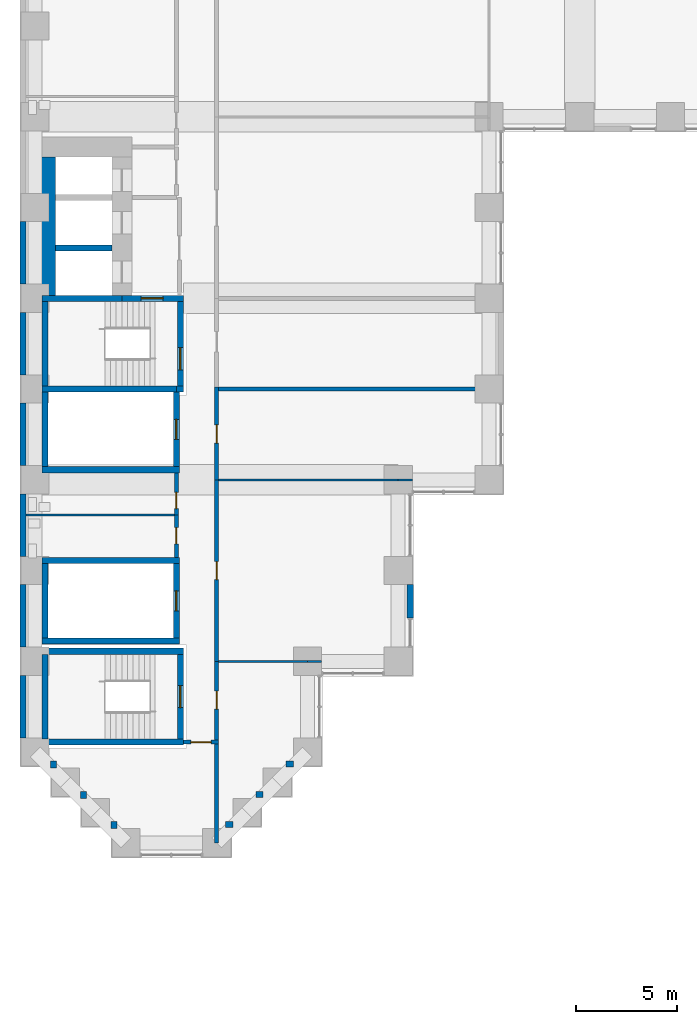
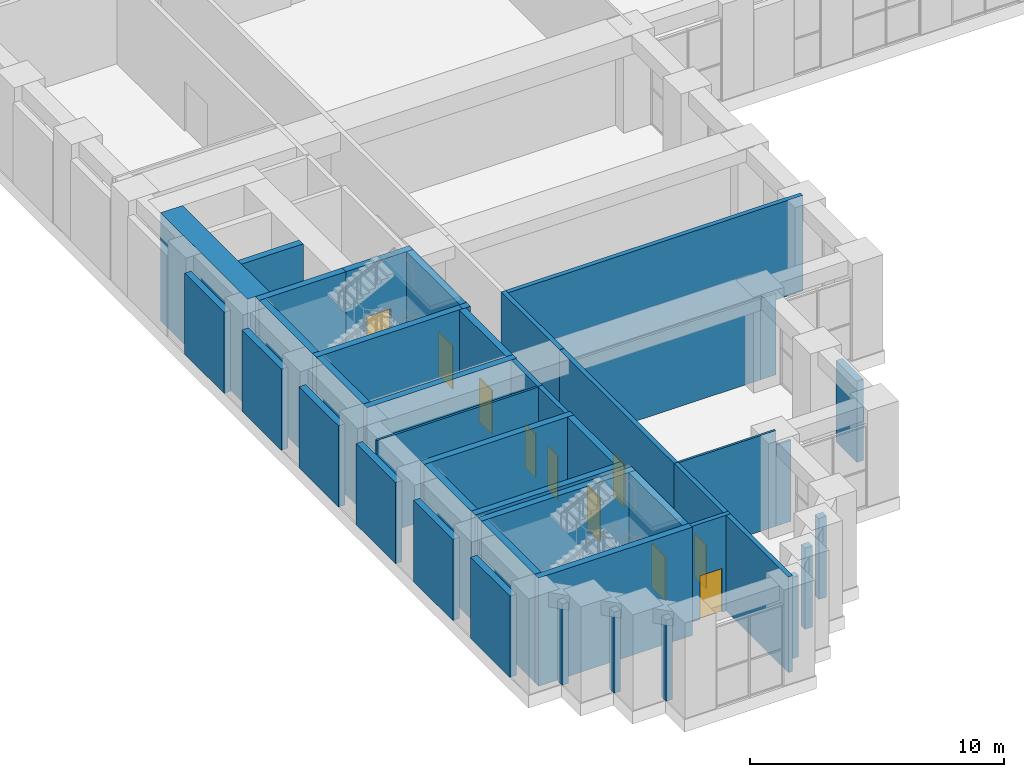
# One storey, part 15 of 30: 45 walls, 11 doors, 11 openings.
"""IFC4 building model written with IfcOpenShell, lengths in metres."""

from ifc_helpers import new_model, si_unit, direction, frame, frame_2d, origin, place, context, subcontext, project, spatial, rectangle, extrude, material, layer, layer_set, type_object, element, fill, save


model = new_model("IFC4")

# Units and contexts
model_context = context("Model", 3, precision=1e-05, world=origin(), true_north=direction((0.0, 1.0)))
body_context = subcontext(model_context, "Body", "Model", "MODEL_VIEW")
ifc_project = project(units=[si_unit("LENGTHUNIT", "METRE"), si_unit("AREAUNIT", "SQUARE_METRE"), si_unit("VOLUMEUNIT", "CUBIC_METRE"), si_unit("PLANEANGLEUNIT", "RADIAN"), si_unit("MASSUNIT", "GRAM", prefix="KILO")], contexts=[model_context])

# Site, building, storey
site_placement = place(None, origin())
site = spatial("IfcSite", under=ifc_project, at=site_placement, CompositionType="ELEMENT")
building_placement = place(site_placement, origin())
building = spatial("IfcBuilding", under=site, at=building_placement, Name="Firuza Court", CompositionType="ELEMENT")
storey_placement = place(building_placement, frame((0.0, 0.0, 9.0)))
storey = spatial("IfcBuildingStorey", under=building, at=storey_placement, Name="L01", CompositionType="ELEMENT", Elevation=9.0)

# Walls
ifc_material_1 = material(Name="Moisture-resistant gypsum board partition")
ifc_layer_1 = layer(ifc_material_1, 0.10009765625)
ifc_layer_set_1 = layer_set([ifc_layer_1], Name="Moisture-resistant gypsum board partition")
wall_type_1 = type_object("IfcWallType", Name="Bathroom partition 100", PredefinedType="PLUMBINGWALL", material=ifc_layer_set_1)
wall_1_placement = place(storey_placement, frame((-0.449951171875, 16.25, 0.0), z_axis=(0.0, 0.0, 1.0), x_axis=(1.0, 0.0, 0.0)))
element("IfcWall", 1, at=wall_1_placement, inside=storey, type_object=wall_type_1, Name="Bathroom partition 100 L01", PredefinedType="PLUMBINGWALL", context=body_context, shape_type="SweptSolid", body=[
    extrude(rectangle(XDim=7.349853515625, YDim=0.10009765625, at=frame_2d((3.6748046875, 0.0))), origin(), (0.0, 0.0, 1.0), 4.60009765625),
])
ifc_material_2 = material(Name="Concrete C60/75", Category="concrete")
ifc_layer_2 = layer(ifc_material_2, 1.0)
ifc_layer_set_2 = layer_set([ifc_layer_2], Name="Concrete C60/75")
wall_type_2 = type_object("IfcWallType", Name="Core wall 1000 C60/75", PredefinedType="SHEAR", material=ifc_layer_set_2)
wall_2_placement = place(storey_placement, frame((0.5, 27.14990234375, -0.60009765625), z_axis=(0.0, 0.0, 1.0), x_axis=(0.0, 1.0, 0.0)))
element("IfcWall", 2, at=wall_2_placement, inside=storey, type_object=wall_type_2, Name="Core wall lift shaft L01", PredefinedType="SHEAR", context=body_context, shape_type="SweptSolid", body=[
    extrude(rectangle(XDim=6.85009765625, YDim=1.0, at=frame_2d((3.425048828125, 0.0))), origin(), (0.0, 0.0, 1.0), 5.2001953125),
])
ifc_layer_3 = layer(ifc_material_2, 0.300048828125)
ifc_layer_set_3 = layer_set([ifc_layer_3], Name="Concrete C60/75")
wall_type_3 = type_object("IfcWallType", Name="Core wall 300 C60/75", PredefinedType="SHEAR", material=ifc_layer_set_3)
for number, where, z_axis, x_axis, name in (
    (3, (0.35009765625, 5.0, -0.60009765625), (0.0, 0.0, 1.0), (1.0, 0.0, 0.0), "Core wall stair L01"),
    (4, (0.35009765625, 9.5, -0.60009765625), (0.0, 0.0, 1.0), (1.0, 0.0, 0.0), "Core wall stair L01"),
):
    element("IfcWall", number, at=place(storey_placement, frame(where, z_axis=z_axis, x_axis=x_axis)), inside=storey, type_object=wall_type_3, Name=name, PredefinedType="SHEAR", context=body_context, shape_type="SweptSolid", body=[
        extrude(rectangle(XDim=7.0, YDim=0.300048828125, at=frame_2d((3.5, 0.0))), origin(), (0.0, 0.0, 1.0), 5.2001953125),
    ])
for number, where, z_axis, x_axis, name in (
    (5, (0.35009765625, 10.0, -0.60009765625), (0.0, 0.0, 1.0), (1.0, 0.0, 0.0), "Core wall riser L01"),
    (6, (0.35009765625, 14.0, -0.60009765625), (0.0, 0.0, 1.0), (1.0, 0.0, 0.0), "Core wall riser L01"),
    (7, (0.35009765625, 18.5, -0.60009765625), (0.0, 0.0, 1.0), (1.0, 0.0, 0.0), "Core wall riser L01"),
):
    element("IfcWall", number, at=place(storey_placement, frame(where, z_axis=z_axis, x_axis=x_axis)), inside=storey, type_object=wall_type_3, Name=name, PredefinedType="SHEAR", context=body_context, shape_type="SweptSolid", body=[
        extrude(rectangle(XDim=6.7998046875, YDim=0.300048828125, at=frame_2d((3.39990234375, 0.0))), origin(), (0.0, 0.0, 1.0), 5.2001953125),
    ])
wall_3_placement = place(storey_placement, frame((0.35009765625, 22.5, -0.60009765625), z_axis=(0.0, 0.0, 1.0), x_axis=(1.0, 0.0, 0.0)))
element("IfcWall", 8, at=wall_3_placement, inside=storey, type_object=wall_type_3, Name="Core wall riser L01", PredefinedType="SHEAR", context=body_context, shape_type="SweptSolid", body=[
    extrude(rectangle(XDim=6.64990234375, YDim=0.300048828125, at=frame_2d((3.324951171875, 0.0))), origin(), (0.0, 0.0, 1.0), 5.2001953125),
])
wall_4_placement = place(storey_placement, frame((0.35009765625, 27.0, -0.60009765625), z_axis=(0.0, 0.0, 1.0), x_axis=(1.0, 0.0, 0.0)))
element("IfcWall", 9, at=wall_4_placement, inside=storey, type_object=wall_type_3, Name="Core wall lift shaft L01", PredefinedType="SHEAR", context=body_context, shape_type="SweptSolid", body=[
    extrude(rectangle(XDim=3.949951171875, YDim=0.300048828125, at=frame_2d((1.97509765625, 0.0))), origin(), (0.0, 0.0, 1.0), 5.2001953125),
])
wall_5_placement = place(storey_placement, frame((0.5, 5.14990234375, -0.60009765625), z_axis=(0.0, 0.0, 1.0), x_axis=(0.0, 1.0, 0.0)))
element("IfcWall", 10, at=wall_5_placement, inside=storey, type_object=wall_type_3, Name="Core wall stair L01", PredefinedType="SHEAR", context=body_context, shape_type="SweptSolid", body=[
    extrude(rectangle(XDim=4.2001953125, YDim=0.300048828125, at=frame_2d((2.10009765625, 0.0))), origin(), (0.0, 0.0, 1.0), 5.2001953125),
])
for number, where, z_axis, x_axis, name in (
    (11, (0.5, 10.14990234375, -0.60009765625), (0.0, 0.0, 1.0), (0.0, 1.0, 0.0), "Core wall riser L01"),
    (12, (0.5, 18.64990234375, -0.60009765625), (0.0, 0.0, 1.0), (0.0, 1.0, 0.0), "Core wall riser L01"),
):
    element("IfcWall", number, at=place(storey_placement, frame(where, z_axis=z_axis, x_axis=x_axis)), inside=storey, type_object=wall_type_3, Name=name, PredefinedType="SHEAR", context=body_context, shape_type="SweptSolid", body=[
        extrude(rectangle(XDim=3.7001953125, YDim=0.300048828125, at=frame_2d((1.85009765625, 0.0))), origin(), (0.0, 0.0, 1.0), 5.2001953125),
    ])
wall_6_placement = place(storey_placement, frame((0.5, 22.64990234375, -0.60009765625), z_axis=(0.0, 0.0, 1.0), x_axis=(0.0, 1.0, 0.0)))
element("IfcWall", 13, at=wall_6_placement, inside=storey, type_object=wall_type_3, Name="Core wall stair L01", PredefinedType="SHEAR", context=body_context, shape_type="SweptSolid", body=[
    extrude(rectangle(XDim=4.2001953125, YDim=0.300048828125, at=frame_2d((2.10009765625, 0.0))), origin(), (0.0, 0.0, 1.0), 5.2001953125),
])
wall_7_placement = place(storey_placement, frame((1.0, 29.5, -0.60009765625), z_axis=(0.0, 0.0, 1.0), x_axis=(1.0, 0.0, 0.0)))
element("IfcWall", 14, at=wall_7_placement, inside=storey, type_object=wall_type_3, Name="Core wall lift shaft L01", PredefinedType="SHEAR", context=body_context, shape_type="SweptSolid", body=[
    extrude(rectangle(XDim=2.800048828125, YDim=0.300048828125, at=frame_2d((1.39990234375, 0.0))), origin(), (0.0, 0.0, 1.0), 5.2001953125),
])

# Wall, opening, door
wall_8_placement = place(storey_placement, frame((4.300048828125, 27.0, -0.60009765625), z_axis=(0.0, 0.0, 1.0), x_axis=(1.0, 0.0, 0.0)))
wall_8 = element("IfcWall", 15, at=wall_8_placement, inside=storey, type_object=wall_type_3, Name="Core wall stair L01", PredefinedType="SHEAR", context=body_context, shape_type="SweptSolid", body=[
    extrude(rectangle(XDim=3.050048828125, YDim=0.300048828125, at=frame_2d((1.52490234375, 0.0))), origin(), (0.0, 0.0, 1.0), 5.2001953125),
])
opening_1_placement = place(wall_8_placement, frame((0.949951171875, 0.0, 0.60009765625)))
opening_1 = element("IfcOpeningElement", 16, at=opening_1_placement, cuts=wall_8, Name="Opening D01014", PredefinedType="OPENING", context=body_context, shape_type="SweptSolid", body=[
    extrude(rectangle(XDim=1.10009765625, YDim=2.10009765625, at=frame_2d((0.550048828125, 1.050048828125))), frame((0.0, 0.162109375, 0.0), z_axis=(0.0, -1.0, 0.0), x_axis=(1.0, 0.0, 0.0)), (0.0, 0.0, 1.0), 0.323974609375),
])
ifc_material_3 = material(Name="Timber door leaf in hardwood frame", Category="wood")
door_type_1 = type_object("IfcDoorType", Name="Stair door 1100", OperationType="SINGLE_SWING_LEFT", PredefinedType="DOOR", material=ifc_material_3)
door_1_placement = place(opening_1_placement, frame((1.10009765625, 0.0, 0.0), z_axis=(0.0, 0.0, 1.0), x_axis=(-1.0, 0.0, 0.0)))
door_1 = element("IfcDoor", 17, at=door_1_placement, inside=storey, type_object=door_type_1, Name="Fire-fighting lobby door", OperationType="SINGLE_SWING_LEFT", OverallHeight=2.10009765625, OverallWidth=1.10009765625, PredefinedType="DOOR", context=body_context, shape_type="SweptSolid", body=[
    extrude(rectangle(XDim=1.10009765625, YDim=2.10009765625, at=frame_2d((0.550048828125, 1.050048828125))), frame((0.0, 0.02490234375, 0.0), z_axis=(0.0, -1.0, 0.0), x_axis=(1.0, 0.0, 0.0)), (0.0, 0.0, 1.0), 0.050048828125),
])
fill(opening_1, door_1)

wall_9_placement = place(storey_placement, frame((7.0, 10.14990234375, -0.60009765625), z_axis=(0.0, 0.0, 1.0), x_axis=(0.0, 1.0, 0.0)))
wall_9 = element("IfcWall", 18, at=wall_9_placement, inside=storey, type_object=wall_type_3, Name="Core wall riser L01", PredefinedType="SHEAR", context=body_context, shape_type="SweptSolid", body=[
    extrude(rectangle(XDim=3.7001953125, YDim=0.300048828125, at=frame_2d((1.85009765625, 0.0))), origin(), (0.0, 0.0, 1.0), 5.2001953125),
])
opening_2_placement = place(wall_9_placement, frame((1.35009765625, 0.0, 0.60009765625)))
opening_2 = element("IfcOpeningElement", 19, at=opening_2_placement, cuts=wall_9, Name="Opening D01012", PredefinedType="OPENING", context=body_context, shape_type="SweptSolid", body=[
    extrude(rectangle(XDim=1.0, YDim=2.10009765625, at=frame_2d((0.5, 1.050048828125))), frame((0.0, 0.162109375, 0.0), z_axis=(0.0, -1.0, 0.0), x_axis=(1.0, 0.0, 0.0)), (0.0, 0.0, 1.0), 0.323974609375),
])
ifc_material_4 = material(Name="Timber door leaf in hardwood frame", Category="wood")
door_type_2 = type_object("IfcDoorType", Name="Riser door 1000", OperationType="SINGLE_SWING_LEFT", PredefinedType="DOOR", material=ifc_material_4)
door_2_placement = place(opening_2_placement, origin())
door_2 = element("IfcDoor", 20, at=door_2_placement, inside=storey, type_object=door_type_2, Name="Riser door R4", OperationType="SINGLE_SWING_LEFT", OverallHeight=2.10009765625, OverallWidth=1.0, PredefinedType="DOOR", context=body_context, shape_type="SweptSolid", body=[
    extrude(rectangle(XDim=1.0, YDim=2.10009765625, at=frame_2d((0.5, 1.050048828125))), frame((0.0, 0.02490234375, 0.0), z_axis=(0.0, -1.0, 0.0), x_axis=(1.0, 0.0, 0.0)), (0.0, 0.0, 1.0), 0.050048828125),
])
fill(opening_2, door_2)

wall_10_placement = place(storey_placement, frame((7.0, 18.64990234375, -0.60009765625), z_axis=(0.0, 0.0, 1.0), x_axis=(0.0, 1.0, 0.0)))
wall_10 = element("IfcWall", 21, at=wall_10_placement, inside=storey, type_object=wall_type_3, Name="Core wall riser L01", PredefinedType="SHEAR", context=body_context, shape_type="SweptSolid", body=[
    extrude(rectangle(XDim=3.7001953125, YDim=0.300048828125, at=frame_2d((1.85009765625, 0.0))), origin(), (0.0, 0.0, 1.0), 5.2001953125),
])
opening_3_placement = place(wall_10_placement, frame((1.35009765625, 0.0, 0.60009765625)))
opening_3 = element("IfcOpeningElement", 22, at=opening_3_placement, cuts=wall_10, Name="Opening D01010", PredefinedType="OPENING", context=body_context, shape_type="SweptSolid", body=[
    extrude(rectangle(XDim=1.0, YDim=2.10009765625, at=frame_2d((0.5, 1.050048828125))), frame((0.0, 0.162109375, 0.0), z_axis=(0.0, -1.0, 0.0), x_axis=(1.0, 0.0, 0.0)), (0.0, 0.0, 1.0), 0.323974609375),
])
door_3_placement = place(opening_3_placement, origin())
door_3 = element("IfcDoor", 23, at=door_3_placement, inside=storey, type_object=door_type_2, Name="Riser door R1", OperationType="SINGLE_SWING_LEFT", OverallHeight=2.10009765625, OverallWidth=1.0, PredefinedType="DOOR", context=body_context, shape_type="SweptSolid", body=[
    extrude(rectangle(XDim=1.0, YDim=2.10009765625, at=frame_2d((0.5, 1.050048828125))), frame((0.0, 0.02490234375, 0.0), z_axis=(0.0, -1.0, 0.0), x_axis=(1.0, 0.0, 0.0)), (0.0, 0.0, 1.0), 0.050048828125),
])
fill(opening_3, door_3)

# Wall
wall_11_placement = place(storey_placement, frame((7.0, 22.5, -0.60009765625), z_axis=(0.0, 0.0, 1.0), x_axis=(1.0, 0.0, 0.0)))
element("IfcWall", 24, at=wall_11_placement, inside=storey, type_object=wall_type_3, Name="Core wall stair L01", PredefinedType="SHEAR", context=body_context, shape_type="SweptSolid", body=[
    extrude(rectangle(XDim=0.35009765625, YDim=0.300048828125, at=frame_2d((0.175048828125, 0.0))), origin(), (0.0, 0.0, 1.0), 5.2001953125),
])

# Wall, opening, door
wall_12_placement = place(storey_placement, frame((7.199951171875, 5.14990234375, -0.60009765625), z_axis=(0.0, 0.0, 1.0), x_axis=(0.0, 1.0, 0.0)))
wall_12 = element("IfcWall", 25, at=wall_12_placement, inside=storey, type_object=wall_type_3, Name="Core wall stair L01", PredefinedType="SHEAR", context=body_context, shape_type="SweptSolid", body=[
    extrude(rectangle(XDim=4.2001953125, YDim=0.300048828125, at=frame_2d((2.10009765625, 0.0))), origin(), (0.0, 0.0, 1.0), 5.2001953125),
])
opening_4_placement = place(wall_12_placement, frame((1.550048828125, 0.0, 0.60009765625)))
opening_4 = element("IfcOpeningElement", 26, at=opening_4_placement, cuts=wall_12, Name="Opening D01018", PredefinedType="OPENING", context=body_context, shape_type="SweptSolid", body=[
    extrude(rectangle(XDim=1.10009765625, YDim=2.10009765625, at=frame_2d((0.550048828125, 1.050048828125))), frame((0.0, 0.162109375, 0.0), z_axis=(0.0, -1.0, 0.0), x_axis=(1.0, 0.0, 0.0)), (0.0, 0.0, 1.0), 0.323974609375),
])
door_4_placement = place(opening_4_placement, origin())
door_4 = element("IfcDoor", 27, at=door_4_placement, inside=storey, type_object=door_type_1, Name="Stair door S5", OperationType="SINGLE_SWING_LEFT", OverallHeight=2.10009765625, OverallWidth=1.10009765625, PredefinedType="DOOR", context=body_context, shape_type="SweptSolid", body=[
    extrude(rectangle(XDim=1.10009765625, YDim=2.10009765625, at=frame_2d((0.550048828125, 1.050048828125))), frame((0.0, 0.02490234375, 0.0), z_axis=(0.0, -1.0, 0.0), x_axis=(1.0, 0.0, 0.0)), (0.0, 0.0, 1.0), 0.050048828125),
])
fill(opening_4, door_4)

wall_13_placement = place(storey_placement, frame((7.199951171875, 22.64990234375, -0.60009765625), z_axis=(0.0, 0.0, 1.0), x_axis=(0.0, 1.0, 0.0)))
wall_13 = element("IfcWall", 28, at=wall_13_placement, inside=storey, type_object=wall_type_3, Name="Core wall stair L01", PredefinedType="SHEAR", context=body_context, shape_type="SweptSolid", body=[
    extrude(rectangle(XDim=4.2001953125, YDim=0.300048828125, at=frame_2d((2.10009765625, 0.0))), origin(), (0.0, 0.0, 1.0), 5.2001953125),
])
opening_5_placement = place(wall_13_placement, frame((0.800048828125, 0.0, 0.60009765625)))
opening_5 = element("IfcOpeningElement", 29, at=opening_5_placement, cuts=wall_13, Name="Opening D01015", PredefinedType="OPENING", context=body_context, shape_type="SweptSolid", body=[
    extrude(rectangle(XDim=1.10009765625, YDim=2.10009765625, at=frame_2d((0.550048828125, 1.050048828125))), frame((0.0, 0.162109375, 0.0), z_axis=(0.0, -1.0, 0.0), x_axis=(1.0, 0.0, 0.0)), (0.0, 0.0, 1.0), 0.323974609375),
])
door_5_placement = place(opening_5_placement, origin())
door_5 = element("IfcDoor", 30, at=door_5_placement, inside=storey, type_object=door_type_1, Name="Stair door S2", OperationType="SINGLE_SWING_LEFT", OverallHeight=2.10009765625, OverallWidth=1.10009765625, PredefinedType="DOOR", context=body_context, shape_type="SweptSolid", body=[
    extrude(rectangle(XDim=1.10009765625, YDim=2.10009765625, at=frame_2d((0.550048828125, 1.050048828125))), frame((0.0, 0.02490234375, 0.0), z_axis=(0.0, -1.0, 0.0), x_axis=(1.0, 0.0, 0.0)), (0.0, 0.0, 1.0), 0.050048828125),
])
fill(opening_5, door_5)

ifc_material_5 = material(Name="Blockwork, plastered both sides", Category="masonry")
ifc_layer_4 = layer(ifc_material_5, 0.199951171875)
ifc_layer_set_4 = layer_set([ifc_layer_4], Name="Blockwork, plastered both sides")
wall_type_4 = type_object("IfcWallType", Name="Corridor wall 200", PredefinedType="PARTITIONING", material=ifc_layer_set_4)
wall_14_placement = place(storey_placement, frame((9.0, 5.10009765625, 0.0), z_axis=(0.0, 0.0, 1.0), x_axis=(0.0, 1.0, 0.0)))
wall_14 = element("IfcWall", 31, at=wall_14_placement, inside=storey, type_object=wall_type_4, Name="Corridor wall 200 L01", PredefinedType="PARTITIONING", context=body_context, shape_type="SweptSolid", body=[
    extrude(rectangle(XDim=3.89990234375, YDim=0.199951171875, at=frame_2d((1.949951171875, 0.0))), origin(), (0.0, 0.0, 1.0), 4.60009765625),
])
opening_6_placement = place(wall_14_placement, frame((1.52490234375, 0.0, 0.0)))
opening_6 = element("IfcOpeningElement", 32, at=opening_6_placement, cuts=wall_14, Name="Opening D01020", PredefinedType="OPENING", context=body_context, shape_type="SweptSolid", body=[
    extrude(rectangle(XDim=0.89990234375, YDim=2.10009765625, at=frame_2d((0.449951171875, 1.050048828125))), frame((0.0, 0.11181640625, 0.0), z_axis=(0.0, -1.0, 0.0), x_axis=(1.0, 0.0, 0.0)), (0.0, 0.0, 1.0), 0.223876953125),
])
ifc_material_6 = material(Name="Timber door leaf in hardwood frame", Category="wood")
door_type_3 = type_object("IfcDoorType", Name="Room door 900 EI 30", OperationType="SINGLE_SWING_LEFT", PredefinedType="DOOR", material=ifc_material_6)
door_6_placement = place(opening_6_placement, frame((0.89990234375, 0.0, 0.0), z_axis=(0.0, 0.0, 1.0), x_axis=(-1.0, 0.0, 0.0)))
door_6 = element("IfcDoor", 33, at=door_6_placement, inside=storey, type_object=door_type_3, Name="Room door", OperationType="SINGLE_SWING_LEFT", OverallHeight=2.10009765625, OverallWidth=0.89990234375, PredefinedType="DOOR", context=body_context, shape_type="SweptSolid", body=[
    extrude(rectangle(XDim=0.89990234375, YDim=2.10009765625, at=frame_2d((0.449951171875, 1.050048828125))), frame((0.0, 0.02490234375, 0.0), z_axis=(0.0, -1.0, 0.0), x_axis=(1.0, 0.0, 0.0)), (0.0, 0.0, 1.0), 0.050048828125),
])
fill(opening_6, door_6)

wall_15_placement = place(storey_placement, frame((9.0, 9.0, 0.0), z_axis=(0.0, 0.0, 1.0), x_axis=(0.0, 1.0, 0.0)))
wall_15 = element("IfcWall", 34, at=wall_15_placement, inside=storey, type_object=wall_type_4, Name="Corridor wall 200 L01", PredefinedType="PARTITIONING", context=body_context, shape_type="SweptSolid", body=[
    extrude(rectangle(XDim=9.0, YDim=0.199951171875, at=frame_2d((4.5, 0.0))), origin(), (0.0, 0.0, 1.0), 4.60009765625),
])
opening_7_placement = place(wall_15_placement, frame((4.050048828125, 0.0, 0.0)))
opening_7 = element("IfcOpeningElement", 35, at=opening_7_placement, cuts=wall_15, Name="Opening D01021", PredefinedType="OPENING", context=body_context, shape_type="SweptSolid", body=[
    extrude(rectangle(XDim=0.89990234375, YDim=2.10009765625, at=frame_2d((0.449951171875, 1.050048828125))), frame((0.0, 0.11181640625, 0.0), z_axis=(0.0, -1.0, 0.0), x_axis=(1.0, 0.0, 0.0)), (0.0, 0.0, 1.0), 0.223876953125),
])
door_7_placement = place(opening_7_placement, origin())
door_7 = element("IfcDoor", 36, at=door_7_placement, inside=storey, type_object=door_type_3, Name="Room door", OperationType="SINGLE_SWING_LEFT", OverallHeight=2.10009765625, OverallWidth=0.89990234375, PredefinedType="DOOR", context=body_context, shape_type="SweptSolid", body=[
    extrude(rectangle(XDim=0.89990234375, YDim=2.10009765625, at=frame_2d((0.449951171875, 1.050048828125))), frame((0.0, 0.02490234375, 0.0), z_axis=(0.0, -1.0, 0.0), x_axis=(1.0, 0.0, 0.0)), (0.0, 0.0, 1.0), 0.050048828125),
])
fill(opening_7, door_7)

wall_16_placement = place(storey_placement, frame((7.0, 16.25, 0.0), z_axis=(0.0, 0.0, 1.0), x_axis=(0.0, -1.0, 0.0)))
wall_16 = element("IfcWall", 37, at=wall_16_placement, inside=storey, type_object=wall_type_4, Name="Corridor wall 200 L01", PredefinedType="PARTITIONING", context=body_context, shape_type="SweptSolid", body=[
    extrude(rectangle(XDim=2.10009765625, YDim=0.199951171875, at=frame_2d((1.050048828125, 0.0))), origin(), (0.0, 0.0, 1.0), 4.60009765625),
])
opening_8_placement = place(wall_16_placement, frame((0.625, 0.0, 0.0)))
opening_8 = element("IfcOpeningElement", 38, at=opening_8_placement, cuts=wall_16, Name="Opening D01022", PredefinedType="OPENING", context=body_context, shape_type="SweptSolid", body=[
    extrude(rectangle(XDim=0.800048828125, YDim=2.10009765625, at=frame_2d((0.39990234375, 1.050048828125))), frame((0.0, 0.11181640625, 0.0), z_axis=(0.0, -1.0, 0.0), x_axis=(1.0, 0.0, 0.0)), (0.0, 0.0, 1.0), 0.223876953125),
])
ifc_material_7 = material(Name="Timber door leaf in hardwood frame", Category="wood")
door_type_4 = type_object("IfcDoorType", Name="Room door 800 EI 30", OperationType="SINGLE_SWING_LEFT", PredefinedType="DOOR", material=ifc_material_7)
door_8_placement = place(opening_8_placement, frame((0.800048828125, 0.0, 0.0), z_axis=(0.0, 0.0, 1.0), x_axis=(-1.0, 0.0, 0.0)))
door_8 = element("IfcDoor", 39, at=door_8_placement, inside=storey, type_object=door_type_4, Name="Room door", OperationType="SINGLE_SWING_RIGHT", OverallHeight=2.10009765625, OverallWidth=0.800048828125, PredefinedType="DOOR", context=body_context, shape_type="SweptSolid", body=[
    extrude(rectangle(XDim=0.800048828125, YDim=2.10009765625, at=frame_2d((0.39990234375, 1.050048828125))), frame((0.0, 0.02490234375, 0.0), z_axis=(0.0, -1.0, 0.0), x_axis=(1.0, 0.0, 0.0)), (0.0, 0.0, 1.0), 0.050048828125),
])
fill(opening_8, door_8)

wall_17_placement = place(storey_placement, frame((9.0, 18.0, 0.0), z_axis=(0.0, 0.0, 1.0), x_axis=(0.0, 1.0, 0.0)))
wall_17 = element("IfcWall", 40, at=wall_17_placement, inside=storey, type_object=wall_type_4, Name="Corridor wall 200 L01", PredefinedType="PARTITIONING", context=body_context, shape_type="SweptSolid", body=[
    extrude(rectangle(XDim=4.60009765625, YDim=0.199951171875, at=frame_2d((2.300048828125, 0.0))), origin(), (0.0, 0.0, 1.0), 4.60009765625),
])
opening_9_placement = place(wall_17_placement, frame((1.824951171875, 0.0, 0.0)))
opening_9 = element("IfcOpeningElement", 41, at=opening_9_placement, cuts=wall_17, Name="Opening D01023", PredefinedType="OPENING", context=body_context, shape_type="SweptSolid", body=[
    extrude(rectangle(XDim=0.89990234375, YDim=2.10009765625, at=frame_2d((0.449951171875, 1.050048828125))), frame((0.0, 0.11181640625, 0.0), z_axis=(0.0, -1.0, 0.0), x_axis=(1.0, 0.0, 0.0)), (0.0, 0.0, 1.0), 0.223876953125),
])
door_9_placement = place(opening_9_placement, frame((0.89990234375, 0.0, 0.0), z_axis=(0.0, 0.0, 1.0), x_axis=(-1.0, 0.0, 0.0)))
door_9 = element("IfcDoor", 42, at=door_9_placement, inside=storey, type_object=door_type_3, Name="Room door", OperationType="SINGLE_SWING_LEFT", OverallHeight=2.10009765625, OverallWidth=0.89990234375, PredefinedType="DOOR", context=body_context, shape_type="SweptSolid", body=[
    extrude(rectangle(XDim=0.89990234375, YDim=2.10009765625, at=frame_2d((0.449951171875, 1.050048828125))), frame((0.0, 0.02490234375, 0.0), z_axis=(0.0, -1.0, 0.0), x_axis=(1.0, 0.0, 0.0)), (0.0, 0.0, 1.0), 0.050048828125),
])
fill(opening_9, door_9)

wall_18_placement = place(storey_placement, frame((7.0, 18.35009765625, 0.0), z_axis=(0.0, 0.0, 1.0), x_axis=(0.0, -1.0, 0.0)))
wall_18 = element("IfcWall", 43, at=wall_18_placement, inside=storey, type_object=wall_type_4, Name="Corridor wall 200 L01", PredefinedType="PARTITIONING", context=body_context, shape_type="SweptSolid", body=[
    extrude(rectangle(XDim=2.10009765625, YDim=0.199951171875, at=frame_2d((1.050048828125, 0.0))), origin(), (0.0, 0.0, 1.0), 4.60009765625),
])
opening_10_placement = place(wall_18_placement, frame((0.97509765625, 0.0, 0.0)))
opening_10 = element("IfcOpeningElement", 44, at=opening_10_placement, cuts=wall_18, Name="Opening D01024", PredefinedType="OPENING", context=body_context, shape_type="SweptSolid", body=[
    extrude(rectangle(XDim=0.800048828125, YDim=2.10009765625, at=frame_2d((0.39990234375, 1.050048828125))), frame((0.0, 0.11181640625, 0.0), z_axis=(0.0, -1.0, 0.0), x_axis=(1.0, 0.0, 0.0)), (0.0, 0.0, 1.0), 0.223876953125),
])
door_10_placement = place(opening_10_placement, frame((0.800048828125, 0.0, 0.0), z_axis=(0.0, 0.0, 1.0), x_axis=(-1.0, 0.0, 0.0)))
door_10 = element("IfcDoor", 45, at=door_10_placement, inside=storey, type_object=door_type_4, Name="Room door", OperationType="SINGLE_SWING_LEFT", OverallHeight=2.10009765625, OverallWidth=0.800048828125, PredefinedType="DOOR", context=body_context, shape_type="SweptSolid", body=[
    extrude(rectangle(XDim=0.800048828125, YDim=2.10009765625, at=frame_2d((0.39990234375, 1.050048828125))), frame((0.0, 0.02490234375, 0.0), z_axis=(0.0, -1.0, 0.0), x_axis=(1.0, 0.0, 0.0)), (0.0, 0.0, 1.0), 0.050048828125),
])
fill(opening_10, door_10)

# Walls
ifc_material_8 = material(Name="Timber stud partition, plasterboard both sides", Category="wood")
ifc_layer_5 = layer(ifc_material_8, 0.10009765625)
ifc_layer_set_5 = layer_set([ifc_layer_5], Name="Timber stud partition, plasterboard both sides")
wall_type_5 = type_object("IfcWallType", Name="Partition wall 100", PredefinedType="PARTITIONING", material=ifc_layer_set_5)
wall_19_placement = place(storey_placement, frame((13.5, 9.0, 0.0), z_axis=(0.0, 0.0, 1.0), x_axis=(-1.0, 0.0, 0.0)))
element("IfcWall", 46, at=wall_19_placement, inside=storey, type_object=wall_type_5, Name="Partition wall 100 L01", PredefinedType="PARTITIONING", context=body_context, shape_type="SweptSolid", body=[
    extrude(rectangle(XDim=4.39990234375, YDim=0.10009765625, at=frame_2d((2.199951171875, 0.0))), origin(), (0.0, 0.0, 1.0), 4.60009765625),
])
wall_20_placement = place(storey_placement, frame((14.199951171875, 9.0, 0.0), z_axis=(0.0, 0.0, 1.0), x_axis=(-1.0, 0.0, 0.0)))
element("IfcWall", 47, at=wall_20_placement, inside=storey, type_object=wall_type_5, Name="Partition wall 100 L01", PredefinedType="PARTITIONING", context=body_context, shape_type="SweptSolid", body=[
    extrude(rectangle(XDim=0.699951171875, YDim=0.10009765625, at=frame_2d((0.35009765625, 0.0))), origin(), (0.0, 0.0, 1.0), 3.89990234375),
])
wall_21_placement = place(storey_placement, frame((18.0, 18.0, 0.0), z_axis=(0.0, 0.0, 1.0), x_axis=(-1.0, 0.0, 0.0)))
element("IfcWall", 48, at=wall_21_placement, inside=storey, type_object=wall_type_5, Name="Partition wall 100 L01", PredefinedType="PARTITIONING", context=body_context, shape_type="SweptSolid", body=[
    extrude(rectangle(XDim=8.89990234375, YDim=0.10009765625, at=frame_2d((4.449951171875, 0.0))), origin(), (0.0, 0.0, 1.0), 3.89990234375),
])
wall_22_placement = place(storey_placement, frame((18.699951171875, 18.0, 0.0), z_axis=(0.0, 0.0, 1.0), x_axis=(-1.0, 0.0, 0.0)))
element("IfcWall", 49, at=wall_22_placement, inside=storey, type_object=wall_type_5, Name="Partition wall 100 L01", PredefinedType="PARTITIONING", context=body_context, shape_type="SweptSolid", body=[
    extrude(rectangle(XDim=0.699951171875, YDim=0.10009765625, at=frame_2d((0.35009765625, 0.0))), origin(), (0.0, 0.0, 1.0), 3.89990234375),
])
ifc_material_9 = material(Name="Blockwork, fire-rated", Category="masonry")
ifc_layer_6 = layer(ifc_material_9, 0.199951171875)
ifc_layer_set_6 = layer_set([ifc_layer_6], Name="Blockwork, fire-rated")
wall_type_6 = type_object("IfcWallType", Name="Plant room wall 200", PredefinedType="PARTITIONING", material=ifc_layer_set_6)
wall_23_placement = place(storey_placement, frame((9.0, 0.0, 0.0), z_axis=(0.0, 0.0, 1.0), x_axis=(0.0, 1.0, 0.0)))
element("IfcWall", 50, at=wall_23_placement, inside=storey, type_object=wall_type_6, Name="Plant room wall 200 L01", PredefinedType="PARTITIONING", context=body_context, shape_type="SweptSolid", body=[
    extrude(rectangle(XDim=4.89990234375, YDim=0.199951171875, at=frame_2d((2.449951171875, 0.0))), origin(), (0.0, 0.0, 1.0), 4.60009765625),
])

# Wall, opening, door
wall_24_placement = place(storey_placement, frame((7.35009765625, 5.0, 0.0), z_axis=(0.0, 0.0, 1.0), x_axis=(1.0, 0.0, 0.0)))
wall_24 = element("IfcWall", 51, at=wall_24_placement, inside=storey, type_object=wall_type_6, Name="Plant room wall 200 L01", PredefinedType="PARTITIONING", context=body_context, shape_type="SweptSolid", body=[
    extrude(rectangle(XDim=1.75, YDim=0.199951171875, at=frame_2d((0.875, 0.0))), origin(), (0.0, 0.0, 1.0), 4.60009765625),
])
opening_11_placement = place(wall_24_placement, frame((0.375, 0.0, 0.0)))
opening_11 = element("IfcOpeningElement", 52, at=opening_11_placement, cuts=wall_24, Name="Opening D01019", PredefinedType="OPENING", context=body_context, shape_type="SweptSolid", body=[
    extrude(rectangle(XDim=1.0, YDim=2.10009765625, at=frame_2d((0.5, 1.050048828125))), frame((0.0, 0.11181640625, 0.0), z_axis=(0.0, -1.0, 0.0), x_axis=(1.0, 0.0, 0.0)), (0.0, 0.0, 1.0), 0.223876953125),
])
ifc_material_10 = material(Name="Timber door leaf in hardwood frame", Category="wood")
door_type_5 = type_object("IfcDoorType", Name="Store door 1000", OperationType="SINGLE_SWING_LEFT", PredefinedType="DOOR", material=ifc_material_10)
door_11_placement = place(opening_11_placement, frame((1.0, 0.0, 0.0), z_axis=(0.0, 0.0, 1.0), x_axis=(-1.0, 0.0, 0.0)))
door_11 = element("IfcDoor", 53, at=door_11_placement, inside=storey, type_object=door_type_5, Name="Store door", OperationType="SINGLE_SWING_LEFT", OverallHeight=2.10009765625, OverallWidth=1.0, PredefinedType="DOOR", context=body_context, shape_type="SweptSolid", body=[
    extrude(rectangle(XDim=1.0, YDim=2.10009765625, at=frame_2d((0.5, 1.050048828125))), frame((0.0, 0.02490234375, 0.0), z_axis=(0.0, -1.0, 0.0), x_axis=(1.0, 0.0, 0.0)), (0.0, 0.0, 1.0), 0.050048828125),
])
fill(opening_11, door_11)

# Walls
wall_25_placement = place(storey_placement, frame((22.5, 22.5, 0.0), z_axis=(0.0, 0.0, 1.0), x_axis=(-1.0, 0.0, 0.0)))
element("IfcWall", 54, at=wall_25_placement, inside=storey, type_object=wall_type_6, Name="Plant room wall 200 L01", PredefinedType="PARTITIONING", context=body_context, shape_type="SweptSolid", body=[
    extrude(rectangle(XDim=13.39990234375, YDim=0.199951171875, at=frame_2d((6.699951171875, 0.0))), origin(), (0.0, 0.0, 1.0), 4.60009765625),
])
ifc_material_11 = material(Name="Ceramic tile", Category="ceramic")
ifc_layer_7 = layer(ifc_material_11, 0.02001953125)
ifc_material_12 = material(Name="Mineral wool insulation", Category="insulation")
ifc_layer_8 = layer(ifc_material_12, 0.1298828125)
ifc_material_13 = material(Name="Concrete C40/50 precast", Category="concrete")
ifc_layer_9 = layer(ifc_material_13, 0.14990234375)
ifc_layer_set_7 = layer_set([ifc_layer_7, ifc_layer_8, ifc_layer_9], Name="Concrete C40/50 precast")
wall_type_7 = type_object("IfcWallType", Name="Precast spandrel wall with turquoise TILE PANEL face 300", PredefinedType="STANDARD", material=ifc_layer_set_7)
for number, where, z_axis, x_axis, name in (
    (55, (9.449951171875, 0.89990234375, 0.0), (0.0, 0.0, 1.0), (1.0, 0.0, 0.0), "Facade wall L01 S"),
    (56, (10.949951171875, 2.39990234375, 0.0), (0.0, 0.0, 1.0), (1.0, 0.0, 0.0), "Facade wall L01 S"),
    (57, (12.449951171875, 3.89990234375, 0.0), (0.0, 0.0, 1.0), (1.0, 0.0, 0.0), "Facade wall L01 S"),
):
    element("IfcWall", number, at=place(storey_placement, frame(where, z_axis=z_axis, x_axis=x_axis)), inside=storey, type_object=wall_type_7, Name=name, PredefinedType="STANDARD", context=body_context, shape_type="SweptSolid", body=[
        extrude(rectangle(XDim=0.35009765625, YDim=0.300048828125, at=frame_2d((0.175048828125, 0.0))), origin(), (0.0, 0.0, 1.0), 3.89990234375),
    ])
wall_26_placement = place(storey_placement, frame((18.60009765625, 11.147705078125, 0.0), z_axis=(0.0, 0.0, 1.0), x_axis=(0.0, 1.0, 0.0)))
element("IfcWall", 58, at=wall_26_placement, inside=storey, type_object=wall_type_7, Name="Facade wall L01 E", PredefinedType="STANDARD", context=body_context, shape_type="SweptSolid", body=[
    extrude(rectangle(XDim=1.65234375, YDim=0.300048828125, at=frame_2d((0.826171875, 0.0))), origin(), (0.0, 0.0, 1.0), 3.89990234375),
])
for number, where, z_axis, x_axis, name in (
    (59, (-0.60009765625, 30.800048828125, 0.0), (0.0, 0.0, 1.0), (0.0, -1.0, 0.0), "Facade wall L01 W"),
    (60, (-0.60009765625, 26.300048828125, 0.0), (0.0, 0.0, 1.0), (0.0, -1.0, 0.0), "Facade wall L01 W"),
    (61, (-0.60009765625, 21.800048828125, 0.0), (0.0, 0.0, 1.0), (0.0, -1.0, 0.0), "Facade wall L01 W"),
    (62, (-0.60009765625, 17.300048828125, 0.0), (0.0, 0.0, 1.0), (0.0, -1.0, 0.0), "Facade wall L01 W"),
    (63, (-0.60009765625, 12.800048828125, 0.0), (0.0, 0.0, 1.0), (0.0, -1.0, 0.0), "Facade wall L01 W"),
    (64, (-0.60009765625, 8.300048828125, 0.0), (0.0, 0.0, 1.0), (0.0, -1.0, 0.0), "Facade wall L01 W"),
):
    element("IfcWall", number, at=place(storey_placement, frame(where, z_axis=z_axis, x_axis=x_axis)), inside=storey, type_object=wall_type_7, Name=name, PredefinedType="STANDARD", context=body_context, shape_type="SweptSolid", body=[
        extrude(rectangle(XDim=3.10009765625, YDim=0.300048828125, at=frame_2d((1.550048828125, 0.0))), origin(), (0.0, 0.0, 1.0), 3.89990234375),
    ])
for number, where, z_axis, x_axis, name in (
    (65, (0.89990234375, 4.050048828125, 0.0), (0.0, 0.0, 1.0), (0.0, -1.0, 0.0), "Facade wall L01 W"),
    (66, (2.39990234375, 2.550048828125, 0.0), (0.0, 0.0, 1.0), (0.0, -1.0, 0.0), "Facade wall L01 W"),
    (67, (3.89990234375, 1.050048828125, 0.0), (0.0, 0.0, 1.0), (0.0, -1.0, 0.0), "Facade wall L01 W"),
):
    element("IfcWall", number, at=place(storey_placement, frame(where, z_axis=z_axis, x_axis=x_axis)), inside=storey, type_object=wall_type_7, Name=name, PredefinedType="STANDARD", context=body_context, shape_type="SweptSolid", body=[
        extrude(rectangle(XDim=0.35009765625, YDim=0.300048828125, at=frame_2d((0.175048828125, 0.0))), origin(), (0.0, 0.0, 1.0), 3.89990234375),
    ])

save(model, "model.ifc")
